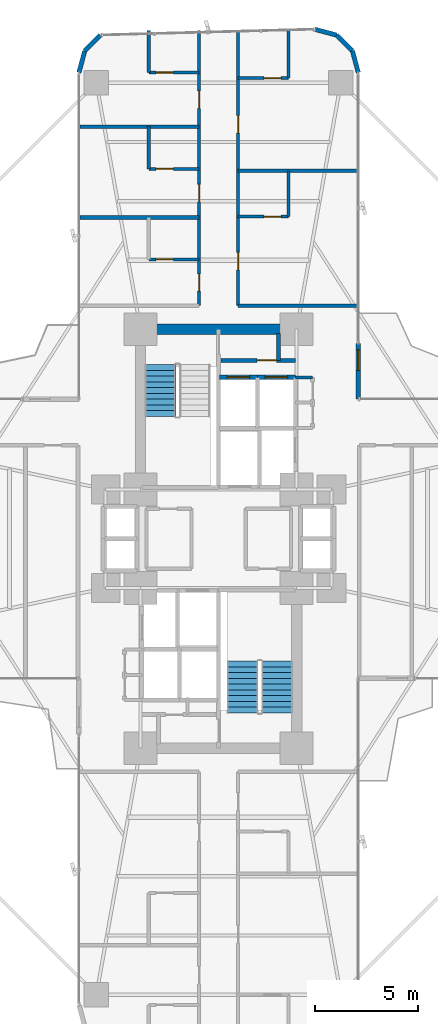
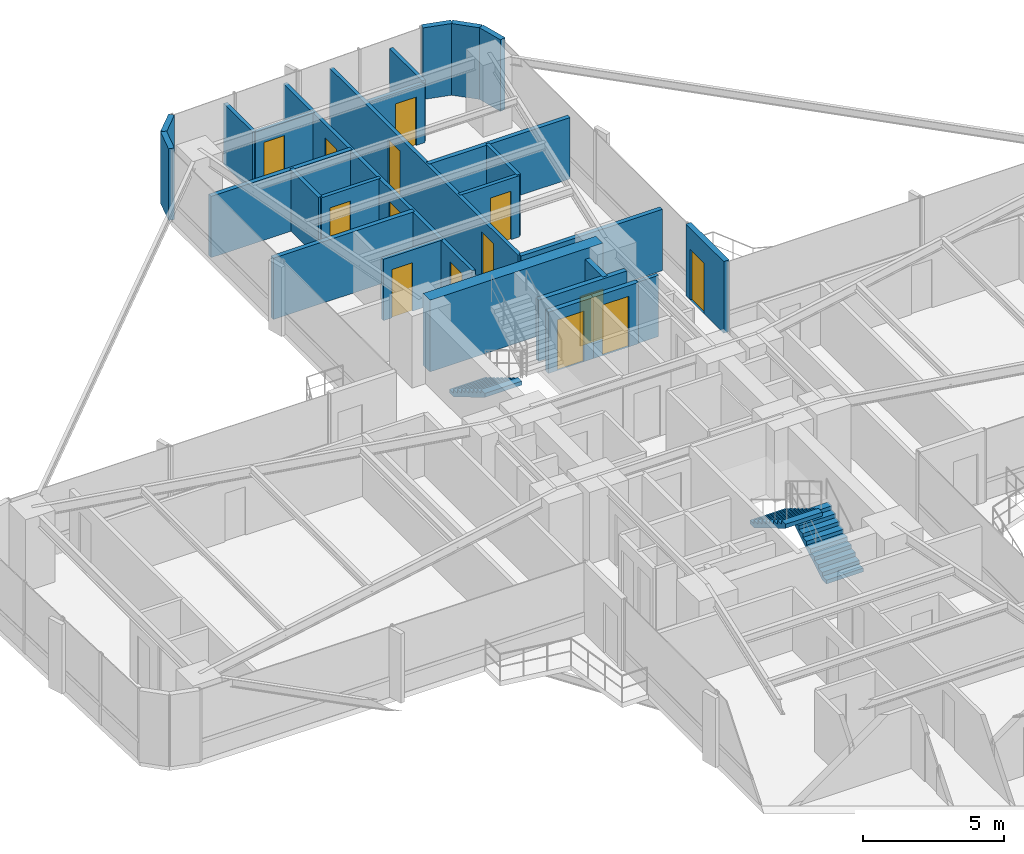
# One storey, part 24 of 26: 27 walls, 14 doors, 3 stair flights, 14 openings, 2 elements without a shape of their own.
"""IFC4 building model written with IfcOpenShell, lengths in metres."""

from ifc_helpers import new_model, si_unit, direction, frame, frame_2d, origin, origin_2d, place, context, subcontext, project, spatial, polyline, rectangle, outline, extrude, source, transform, mapped, material, layer, layer_set, type_object, element, fill, aggregate, save


model = new_model("IFC4")

# Units and contexts
model_context = context("Model", 3, precision=1e-05, world=origin(), true_north=direction((0.0, 1.0)))
body_context = subcontext(model_context, "Body", "Model", "MODEL_VIEW")
ifc_project = project(units=[si_unit("LENGTHUNIT", "METRE"), si_unit("AREAUNIT", "SQUARE_METRE"), si_unit("VOLUMEUNIT", "CUBIC_METRE"), si_unit("PLANEANGLEUNIT", "RADIAN"), si_unit("MASSUNIT", "GRAM", prefix="KILO")], contexts=[model_context])

# Site, building, storey
site_placement = place(None, origin())
site = spatial("IfcSite", under=ifc_project, at=site_placement, CompositionType="ELEMENT")
building_placement = place(site_placement, origin())
building = spatial("IfcBuilding", under=site, at=building_placement, Name="Sahyath Konkavel Grand Hotel", CompositionType="ELEMENT")
storey_placement = place(building_placement, frame((0.0, 0.0, 61.10009765625)))
storey = spatial("IfcBuildingStorey", under=building, at=storey_placement, Name="L16", CompositionType="ELEMENT", Elevation=61.10009765625)

# Wall
ifc_material_1 = material(Name="Concrete C70/85", Category="concrete")
ifc_layer_1 = layer(ifc_material_1, 0.5)
ifc_layer_set_1 = layer_set([ifc_layer_1], Name="Concrete C70/85")
wall_type_1 = type_object("IfcWallType", Name="CWALL-500", PredefinedType="SHEAR", material=ifc_layer_set_1)
wall_1_placement = place(storey_placement, frame((-3.550048828125, 10.199951171875, 0.0), z_axis=(0.0, 0.0, 1.0), x_axis=(1.0, 0.0, 0.0)))
element("IfcWall", 1, at=wall_1_placement, inside=storey, type_object=wall_type_1, Name="L16 North Core Shear Wall N", PredefinedType="SHEAR", context=body_context, shape_type="SweptSolid", body=[
    extrude(rectangle(XDim=7.10009765625, YDim=0.5, at=frame_2d((3.550048828125, 0.0))), origin(), (0.0, 0.0, 1.0), 3.10986328125),
])

# Wall, opening, door
ifc_material_2 = material(Name="Warm Buff Sandstone Insulated Concrete C40/50", Category="masonry")
ifc_layer_2 = layer(ifc_material_2, 0.219970703125)
ifc_layer_set_2 = layer_set([ifc_layer_2], Name="Warm Buff Sandstone Insulated Concrete C40/50")
wall_type_2 = type_object("IfcWallType", Name="WLL-BALC-THRESH", PredefinedType="STANDARD", material=ifc_layer_set_2)
wall_2_placement = place(storey_placement, frame((6.800048828125, 6.800048828125, 0.0), z_axis=(0.0, 0.0, 1.0), x_axis=(0.0, 1.0, 0.0)))
wall_2 = element("IfcWall", 2, at=wall_2_placement, inside=storey, type_object=wall_type_2, Name="L16 Winter-Garden Threshold Wall 8", PredefinedType="STANDARD", context=body_context, shape_type="SweptSolid", body=[
    extrude(rectangle(XDim=2.699951171875, YDim=0.219970703125, at=frame_2d((1.35009765625, 0.0))), origin(), (0.0, 0.0, 1.0), 3.10986328125),
])
opening_1_placement = place(wall_2_placement, frame((1.39990234375, 0.0, 0.0)))
opening_1 = element("IfcOpeningElement", 3, at=opening_1_placement, cuts=wall_2, Name="Opening D-TR1", PredefinedType="OPENING", context=body_context, shape_type="SweptSolid", body=[
    extrude(rectangle(XDim=1.0, YDim=2.199951171875, at=frame_2d((0.5, 1.10009765625))), frame((0.0, 0.1201171875, 0.0), z_axis=(0.0, -1.0, 0.0), x_axis=(1.0, 0.0, 0.0)), (0.0, 0.0, 1.0), 0.239990234375),
])
ifc_material_3 = material(Name="Anodised Bronze Aluminium & Low-E Glazing", Category="aluminium")
door_type_1 = type_object("IfcDoorType", Name="DR-TERRACE-1000", OperationType="NOTDEFINED", PredefinedType="DOOR", material=ifc_material_3)
shared_shape_1 = source(origin(), body_context, "Body", "SweptSolid", [
    extrude(rectangle(XDim=1.0, YDim=0.050048828125, at=origin_2d()), origin(), (0.0, 0.0, 1.0), 2.199951171875),
])
door_1_placement = place(opening_1_placement, frame((0.5, 0.0, 0.0)))
door_1 = element("IfcDoor", 4, at=door_1_placement, inside=storey, type_object=door_type_1, Name="L16 Winter-Garden Terrace Door 8", OperationType="SINGLE_SWING_LEFT", OverallHeight=2.199951171875, OverallWidth=1.0, PredefinedType="DOOR", context=body_context, shape_type="MappedRepresentation", body=[
    mapped(shared_shape_1, transform((0.0, 0.0, 0.0), scale=1.0)),
])
fill(opening_1, door_1)

# Walls
for number, where, z_axis, x_axis, name in (
    (5, (6.800048828125, 22.699951171875, 0.0), (0.0, 0.0, 1.0), (-0.25872485917, 0.965951058412, 0.0), "L16 Rounded Corner Sandstone Pier 9"),
    (6, (6.518798828125, 23.75, 0.0), (0.0, 0.0, 1.0), (-0.707106781187, 0.707106781187, 0.0), "L16 Rounded Corner Sandstone Pier 10"),
    (7, (5.75, 24.518798828125, 0.0), (0.0, 0.0, 1.0), (-0.965951058412, 0.25872485917, 0.0), "L16 Rounded Corner Sandstone Pier 11"),
    (8, (-5.75, 24.518798828125, 0.0), (0.0, 0.0, 1.0), (-0.707106781187, -0.707106781187, 0.0), "L16 Rounded Corner Sandstone Pier 13"),
    (9, (-6.518798828125, 23.75, 0.0), (0.0, 0.0, 1.0), (-0.25872485917, -0.965951058412, 0.0), "L16 Rounded Corner Sandstone Pier 14"),
):
    element("IfcWall", number, at=place(storey_placement, frame(where, z_axis=z_axis, x_axis=x_axis)), inside=storey, type_object=wall_type_2, Name=name, PredefinedType="STANDARD", context=body_context, shape_type="SweptSolid", body=[
        extrude(rectangle(XDim=1.087158203125, YDim=0.219970703125, at=frame_2d((0.54345703125, 0.0))), origin(), (0.0, 0.0, 1.0), 3.10986328125),
    ])

# Wall, opening, door
ifc_material_4 = material(Name="Concrete C40/50", Category="concrete")
ifc_layer_3 = layer(ifc_material_4, 0.199951171875)
ifc_layer_set_3 = layer_set([ifc_layer_3], Name="Concrete C40/50")
wall_type_3 = type_object("IfcWallType", Name="WLL-CORE-200", PredefinedType="SOLIDWALL", material=ifc_layer_set_3)
wall_3_placement = place(storey_placement, frame((0.050048828125, 7.860107421875, 0.0), z_axis=(0.0, 0.0, 1.0), x_axis=(1.0, 0.0, 0.0)))
wall_3 = element("IfcWall", 10, at=wall_3_placement, inside=storey, type_object=wall_type_3, Name="L16 Partition SH-PL1-N", PredefinedType="SOLIDWALL", context=body_context, shape_type="SweptSolid", body=[
    extrude(rectangle(XDim=1.849853515625, YDim=0.199951171875, at=frame_2d((0.9248046875, 0.0))), origin(), (0.0, 0.0, 1.0), 2.659912109375),
])
opening_2_placement = place(wall_3_placement, frame((0.360107421875, 0.0, 0.0)))
opening_2 = element("IfcOpeningElement", 11, at=opening_2_placement, cuts=wall_3, Name="Opening LD-11", PredefinedType="OPENING", context=body_context, shape_type="SweptSolid", body=[
    extrude(rectangle(XDim=1.10009765625, YDim=2.199951171875, at=frame_2d((0.550048828125, 1.10009765625))), frame((0.0, 0.10986328125, 0.0), z_axis=(0.0, -1.0, 0.0), x_axis=(1.0, 0.0, 0.0)), (0.0, 0.0, 1.0), 0.219970703125),
])
ifc_material_5 = material(Name="Bronze Lift Landing Door 1100")
door_type_2 = type_object("IfcDoorType", Name="DR-LIFT-1100", OperationType="DOUBLE_DOOR_SLIDING", PredefinedType="DOOR", material=ifc_material_5)
shared_shape_2 = source(origin(), body_context, "Body", "SweptSolid", [
    extrude(rectangle(XDim=1.10009765625, YDim=0.050048828125, at=origin_2d()), origin(), (0.0, 0.0, 1.0), 2.199951171875),
])
door_2_placement = place(opening_2_placement, frame((0.550048828125, 0.0, 0.0)))
door_2 = element("IfcDoor", 12, at=door_2_placement, inside=storey, type_object=door_type_2, Name="L16 Passenger Lift PL-1 Landing Door", OperationType="DOUBLE_DOOR_SLIDING", OverallHeight=2.199951171875, OverallWidth=1.10009765625, PredefinedType="DOOR", context=body_context, shape_type="MappedRepresentation", body=[
    mapped(shared_shape_2, transform((0.0, 0.0, 0.0), scale=1.0)),
])
fill(opening_2, door_2)

wall_4_placement = place(storey_placement, frame((1.89990234375, 7.860107421875, 0.0), z_axis=(0.0, 0.0, 1.0), x_axis=(1.0, 0.0, 0.0)))
wall_4 = element("IfcWall", 13, at=wall_4_placement, inside=storey, type_object=wall_type_3, Name="L16 Partition SH-PL2-N", PredefinedType="SOLIDWALL", context=body_context, shape_type="SweptSolid", body=[
    extrude(rectangle(XDim=1.840087890625, YDim=0.199951171875, at=frame_2d((0.919921875, 0.0))), origin(), (0.0, 0.0, 1.0), 2.659912109375),
])
opening_3_placement = place(wall_4_placement, frame((0.360107421875, 0.0, 0.0)))
opening_3 = element("IfcOpeningElement", 14, at=opening_3_placement, cuts=wall_4, Name="Opening LD-11", PredefinedType="OPENING", context=body_context, shape_type="SweptSolid", body=[
    extrude(rectangle(XDim=1.10009765625, YDim=2.199951171875, at=frame_2d((0.550048828125, 1.10009765625))), frame((0.0, 0.10986328125, 0.0), z_axis=(0.0, -1.0, 0.0), x_axis=(1.0, 0.0, 0.0)), (0.0, 0.0, 1.0), 0.219970703125),
])
door_3_placement = place(opening_3_placement, frame((0.550048828125, 0.0, 0.0)))
door_3 = element("IfcDoor", 15, at=door_3_placement, inside=storey, type_object=door_type_2, Name="L16 Passenger Lift PL-2 Landing Door", OperationType="DOUBLE_DOOR_SLIDING", OverallHeight=2.199951171875, OverallWidth=1.10009765625, PredefinedType="DOOR", context=body_context, shape_type="MappedRepresentation", body=[
    mapped(shared_shape_2, transform((0.0, 0.0, 0.0), scale=1.0)),
])
fill(opening_3, door_3)

wall_5_placement = place(storey_placement, frame((0.1201171875, 8.679931640625, 0.0), z_axis=(0.0, 0.0, 1.0), x_axis=(1.0, 0.0, 0.0)))
wall_5 = element("IfcWall", 16, at=wall_5_placement, inside=storey, type_object=wall_type_3, Name="L16 North FF Lobby Separation Wall", PredefinedType="SOLIDWALL", context=body_context, shape_type="SweptSolid", body=[
    extrude(rectangle(XDim=3.619873046875, YDim=0.199951171875, at=frame_2d((1.81005859375, 0.0))), origin(), (0.0, 0.0, 1.0), 2.659912109375),
])
opening_4_placement = place(wall_5_placement, frame((1.75, 0.0, 0.0)))
opening_4 = element("IfcOpeningElement", 17, at=opening_4_placement, cuts=wall_5, Name="Opening D-F12C", PredefinedType="OPENING", context=body_context, shape_type="SweptSolid", body=[
    extrude(rectangle(XDim=0.949951171875, YDim=2.14990234375, at=frame_2d((0.47509765625, 1.074951171875))), frame((0.0, 0.10986328125, 0.0), z_axis=(0.0, -1.0, 0.0), x_axis=(1.0, 0.0, 0.0)), (0.0, 0.0, 1.0), 0.219970703125),
])
ifc_material_6 = material(Name="Steel E350 Plant Fire Door", Category="steel")
door_type_3 = type_object("IfcDoorType", Name="DR-FD120-950", OperationType="NOTDEFINED", PredefinedType="DOOR", material=ifc_material_6)
shared_shape_3 = source(origin(), body_context, "Body", "SweptSolid", [
    extrude(rectangle(XDim=0.949951171875, YDim=0.050048828125, at=origin_2d()), origin(), (0.0, 0.0, 1.0), 2.14990234375),
])
door_4_placement = place(opening_4_placement, frame((0.47509765625, 0.0, 0.0)))
door_4 = element("IfcDoor", 18, at=door_4_placement, inside=storey, type_object=door_type_3, Name="L16 North Firefighting Lobby Door", OperationType="SINGLE_SWING_LEFT", OverallHeight=2.14990234375, OverallWidth=0.949951171875, PredefinedType="DOOR", context=body_context, shape_type="MappedRepresentation", body=[
    mapped(shared_shape_3, transform((0.0, 0.0, 0.0), scale=1.0)),
])
fill(opening_4, door_4)

# Walls
wall_6_placement = place(storey_placement, frame((2.919921875, 8.679931640625, 0.0), z_axis=(0.0, 0.0, 1.0), x_axis=(0.0, 1.0, 0.0)))
element("IfcWall", 19, at=wall_6_placement, inside=storey, type_object=wall_type_3, Name="L16 Partition NFF-E2", PredefinedType="SOLIDWALL", context=body_context, shape_type="SweptSolid", body=[
    extrude(rectangle(XDim=1.320068359375, YDim=0.199951171875, at=frame_2d((0.66015625, 0.0))), origin(), (0.0, 0.0, 1.0), 2.659912109375),
])
ifc_material_7 = material(Name="Twin-Stud Acoustic Gypsum Plasterboard Partition")
ifc_layer_4 = layer(ifc_material_7, 0.179931640625)
ifc_layer_set_4 = layer_set([ifc_layer_4], Name="Twin-Stud Acoustic Gypsum Plasterboard Partition")
wall_type_4 = type_object("IfcWallType", Name="WLL-DEMISE-180", PredefinedType="PARTITIONING", material=ifc_layer_set_4)
for number, where, z_axis, x_axis, name in (
    (20, (6.75, 11.35009765625, 0.0), (0.0, 0.0, 1.0), (-1.0, 0.0, 0.0), "L16 Partition N-INR"),
    (21, (-0.949951171875, 15.637939453125, 0.0), (0.0, 0.0, 1.0), (-1.0, 0.0, 0.0), "L16 Partition N-N1L-DEM"),
    (22, (-0.949951171875, 20.06005859375, 0.0), (0.0, 0.0, 1.0), (-1.0, 0.0, 0.0), "L16 Partition N-N2L-DEM"),
    (23, (0.949951171875, 17.916015625, 0.0), (0.0, 0.0, 1.0), (1.0, 0.0, 0.0), "L16 Partition N-N1R-DEM"),
):
    element("IfcWall", number, at=place(storey_placement, frame(where, z_axis=z_axis, x_axis=x_axis)), inside=storey, type_object=wall_type_4, Name=name, PredefinedType="PARTITIONING", context=body_context, shape_type="SweptSolid", body=[
        extrude(rectangle(XDim=5.800048828125, YDim=0.179931640625, at=frame_2d((2.89990234375, 0.0))), origin(), (0.0, 0.0, 1.0), 2.659912109375),
    ])
ifc_material_8 = material(Name="Fire-Rated Gypsum Plasterboard Partition")
ifc_layer_5 = layer(ifc_material_8, 0.14990234375)
ifc_layer_set_5 = layer_set([ifc_layer_5], Name="Fire-Rated Gypsum Plasterboard Partition")
wall_type_5 = type_object("IfcWallType", Name="WLL-PART-150", PredefinedType="PARTITIONING", material=ifc_layer_set_5)
wall_7_placement = place(storey_placement, frame((3.739990234375, 7.860107421875, 0.0), z_axis=(0.0, 0.0, 1.0), x_axis=(1.0, 0.0, 0.0)))
element("IfcWall", 24, at=wall_7_placement, inside=storey, type_object=wall_type_5, Name="L16 Partition NC-FLK-N", PredefinedType="PARTITIONING", context=body_context, shape_type="SweptSolid", body=[
    extrude(rectangle(XDim=0.840087890625, YDim=0.14990234375, at=frame_2d((0.419921875, 0.0))), origin(), (0.0, 0.0, 1.0), 2.659912109375),
])

# Wall, openings, doors
wall_8_placement = place(storey_placement, frame((-0.949951171875, 11.35009765625, 0.0), z_axis=(0.0, 0.0, 1.0), x_axis=(0.0, 1.0, 0.0)))
wall_8 = element("IfcWall", 25, at=wall_8_placement, inside=storey, type_object=wall_type_5, Name="L16 Partition N-CL", PredefinedType="PARTITIONING", context=body_context, shape_type="SweptSolid", body=[
    extrude(rectangle(XDim=13.39990234375, YDim=0.14990234375, at=frame_2d((6.699951171875, 0.0))), origin(), (0.0, 0.0, 1.0), 2.659912109375),
])
opening_5_placement = place(wall_8_placement, frame((0.699951171875, 0.0, 0.0)))
opening_5 = element("IfcOpeningElement", 26, at=opening_5_placement, cuts=wall_8, Name="Opening D-F06D", PredefinedType="OPENING", context=body_context, shape_type="SweptSolid", body=[
    extrude(rectangle(XDim=0.85009765625, YDim=2.10009765625, at=frame_2d((0.425048828125, 1.050048828125))), frame((0.0, 0.0849609375, 0.0), z_axis=(0.0, -1.0, 0.0), x_axis=(1.0, 0.0, 0.0)), (0.0, 0.0, 1.0), 0.169921875),
])
opening_6_placement = place(wall_8_placement, frame((5.049072265625, 0.0, 0.0)))
opening_6 = element("IfcOpeningElement", 27, at=opening_6_placement, cuts=wall_8, Name="Opening D-F06D", PredefinedType="OPENING", context=body_context, shape_type="SweptSolid", body=[
    extrude(rectangle(XDim=0.85009765625, YDim=2.10009765625, at=frame_2d((0.425048828125, 1.050048828125))), frame((0.0, 0.0849609375, 0.0), z_axis=(0.0, -1.0, 0.0), x_axis=(1.0, 0.0, 0.0)), (0.0, 0.0, 1.0), 0.169921875),
])
opening_7_placement = place(wall_8_placement, frame((9.60498046875, 0.0, 0.0)))
opening_7 = element("IfcOpeningElement", 28, at=opening_7_placement, cuts=wall_8, Name="Opening D-F06D", PredefinedType="OPENING", context=body_context, shape_type="SweptSolid", body=[
    extrude(rectangle(XDim=0.85009765625, YDim=2.10009765625, at=frame_2d((0.425048828125, 1.050048828125))), frame((0.0, 0.0849609375, 0.0), z_axis=(0.0, -1.0, 0.0), x_axis=(1.0, 0.0, 0.0)), (0.0, 0.0, 1.0), 0.169921875),
])
ifc_material_9 = material(Name="Fire-Rated Shaft Access Door")
door_type_4 = type_object("IfcDoorType", Name="DR-FD60-850", OperationType="NOTDEFINED", PredefinedType="DOOR", material=ifc_material_9)
shared_shape_4 = source(origin(), body_context, "Body", "SweptSolid", [
    extrude(rectangle(XDim=0.85009765625, YDim=0.050048828125, at=origin_2d()), origin(), (0.0, 0.0, 1.0), 2.10009765625),
])
door_5_placement = place(opening_5_placement, frame((0.425048828125, 0.0, 0.0)))
door_5 = element("IfcDoor", 29, at=door_5_placement, inside=storey, type_object=door_type_4, Name="L16 Door N-N1L-ED", OperationType="SINGLE_SWING_LEFT", OverallHeight=2.10009765625, OverallWidth=0.85009765625, PredefinedType="DOOR", context=body_context, shape_type="MappedRepresentation", body=[
    mapped(shared_shape_4, transform((0.0, 0.0, 0.0), scale=1.0)),
])
fill(opening_5, door_5)
door_6_placement = place(opening_6_placement, frame((0.425048828125, 0.0, 0.0)))
door_6 = element("IfcDoor", 30, at=door_6_placement, inside=storey, type_object=door_type_4, Name="L16 Door N-N2L-ED", OperationType="SINGLE_SWING_LEFT", OverallHeight=2.10009765625, OverallWidth=0.85009765625, PredefinedType="DOOR", context=body_context, shape_type="MappedRepresentation", body=[
    mapped(shared_shape_4, transform((0.0, 0.0, 0.0), scale=1.0)),
])
fill(opening_6, door_6)
door_7_placement = place(opening_7_placement, frame((0.425048828125, 0.0, 0.0)))
door_7 = element("IfcDoor", 31, at=door_7_placement, inside=storey, type_object=door_type_4, Name="L16 Door N-N3L-ED", OperationType="SINGLE_SWING_LEFT", OverallHeight=2.10009765625, OverallWidth=0.85009765625, PredefinedType="DOOR", context=body_context, shape_type="MappedRepresentation", body=[
    mapped(shared_shape_4, transform((0.0, 0.0, 0.0), scale=1.0)),
])
fill(opening_7, door_7)

wall_9_placement = place(storey_placement, frame((0.949951171875, 11.35009765625, 0.0), z_axis=(0.0, 0.0, 1.0), x_axis=(0.0, 1.0, 0.0)))
wall_9 = element("IfcWall", 32, at=wall_9_placement, inside=storey, type_object=wall_type_5, Name="L16 Partition N-CR", PredefinedType="PARTITIONING", context=body_context, shape_type="SweptSolid", body=[
    extrude(rectangle(XDim=13.39990234375, YDim=0.14990234375, at=frame_2d((6.699951171875, 0.0))), origin(), (0.0, 0.0, 1.0), 2.659912109375),
])
opening_8_placement = place(wall_9_placement, frame((1.741943359375, 0.0, 0.0)))
opening_8 = element("IfcOpeningElement", 33, at=opening_8_placement, cuts=wall_9, Name="Opening D-F06D", PredefinedType="OPENING", context=body_context, shape_type="SweptSolid", body=[
    extrude(rectangle(XDim=0.85009765625, YDim=2.10009765625, at=frame_2d((0.425048828125, 1.050048828125))), frame((0.0, 0.0849609375, 0.0), z_axis=(0.0, -1.0, 0.0), x_axis=(1.0, 0.0, 0.0)), (0.0, 0.0, 1.0), 0.169921875),
])
opening_9_placement = place(wall_9_placement, frame((8.39599609375, 0.0, 0.0)))
opening_9 = element("IfcOpeningElement", 34, at=opening_9_placement, cuts=wall_9, Name="Opening D-F06D", PredefinedType="OPENING", context=body_context, shape_type="SweptSolid", body=[
    extrude(rectangle(XDim=0.85009765625, YDim=2.10009765625, at=frame_2d((0.425048828125, 1.050048828125))), frame((0.0, 0.0849609375, 0.0), z_axis=(0.0, -1.0, 0.0), x_axis=(1.0, 0.0, 0.0)), (0.0, 0.0, 1.0), 0.169921875),
])
door_8_placement = place(opening_8_placement, frame((0.425048828125, 0.0, 0.0)))
door_8 = element("IfcDoor", 35, at=door_8_placement, inside=storey, type_object=door_type_4, Name="L16 Door N-N1R-ED", OperationType="SINGLE_SWING_LEFT", OverallHeight=2.10009765625, OverallWidth=0.85009765625, PredefinedType="DOOR", context=body_context, shape_type="MappedRepresentation", body=[
    mapped(shared_shape_4, transform((0.0, 0.0, 0.0), scale=1.0)),
])
fill(opening_8, door_8)
door_9_placement = place(opening_9_placement, frame((0.425048828125, 0.0, 0.0)))
door_9 = element("IfcDoor", 36, at=door_9_placement, inside=storey, type_object=door_type_4, Name="L16 Door N-N2R-ED", OperationType="SINGLE_SWING_LEFT", OverallHeight=2.10009765625, OverallWidth=0.85009765625, PredefinedType="DOOR", context=body_context, shape_type="MappedRepresentation", body=[
    mapped(shared_shape_4, transform((0.0, 0.0, 0.0), scale=1.0)),
])
fill(opening_9, door_9)

# Wall, opening, door
wall_10_placement = place(storey_placement, frame((-0.949951171875, 13.60009765625, 0.0), z_axis=(0.0, 0.0, 1.0), x_axis=(-1.0, 0.0, 0.0)))
wall_10 = element("IfcWall", 37, at=wall_10_placement, inside=storey, type_object=wall_type_5, Name="L16 Partition N-N1L-BS", PredefinedType="PARTITIONING", context=body_context, shape_type="SweptSolid", body=[
    extrude(rectangle(XDim=2.449951171875, YDim=0.14990234375, at=frame_2d((1.22509765625, 0.0))), origin(), (0.0, 0.0, 1.0), 2.659912109375),
])
opening_10_placement = place(wall_10_placement, frame((1.25, 0.0, 0.0)))
opening_10 = element("IfcOpeningElement", 38, at=opening_10_placement, cuts=wall_10, Name="Opening D-BT85", PredefinedType="OPENING", context=body_context, shape_type="SweptSolid", body=[
    extrude(rectangle(XDim=0.85009765625, YDim=2.10009765625, at=frame_2d((0.425048828125, 1.050048828125))), frame((0.0, 0.0849609375, 0.0), z_axis=(0.0, -1.0, 0.0), x_axis=(1.0, 0.0, 0.0)), (0.0, 0.0, 1.0), 0.169921875),
])
ifc_material_10 = material(Name="Moisture-Resistant Teak Bathroom Door")
door_type_5 = type_object("IfcDoorType", Name="DR-BATH-850", OperationType="NOTDEFINED", PredefinedType="DOOR", material=ifc_material_10)
door_10_placement = place(opening_10_placement, frame((0.425048828125, 0.0, 0.0)))
door_10 = element("IfcDoor", 39, at=door_10_placement, inside=storey, type_object=door_type_5, Name="L16 Door N-N1L-BD", OperationType="SINGLE_SWING_RIGHT", OverallHeight=2.10009765625, OverallWidth=0.85009765625, PredefinedType="DOOR", context=body_context, shape_type="MappedRepresentation", body=[
    mapped(shared_shape_4, transform((0.0, 0.0, 0.0), scale=1.0)),
])
fill(opening_10, door_10)

wall_11_placement = place(storey_placement, frame((-0.949951171875, 18.010009765625, 0.0), z_axis=(0.0, 0.0, 1.0), x_axis=(-1.0, 0.0, 0.0)))
wall_11 = element("IfcWall", 40, at=wall_11_placement, inside=storey, type_object=wall_type_5, Name="L16 Partition N-N2L-BS", PredefinedType="PARTITIONING", context=body_context, shape_type="SweptSolid", body=[
    extrude(rectangle(XDim=2.449951171875, YDim=0.14990234375, at=frame_2d((1.22509765625, 0.0))), origin(), (0.0, 0.0, 1.0), 2.659912109375),
])
opening_11_placement = place(wall_11_placement, frame((1.25, 0.0, 0.0)))
opening_11 = element("IfcOpeningElement", 41, at=opening_11_placement, cuts=wall_11, Name="Opening D-BT85", PredefinedType="OPENING", context=body_context, shape_type="SweptSolid", body=[
    extrude(rectangle(XDim=0.85009765625, YDim=2.10009765625, at=frame_2d((0.425048828125, 1.050048828125))), frame((0.0, 0.0849609375, 0.0), z_axis=(0.0, -1.0, 0.0), x_axis=(1.0, 0.0, 0.0)), (0.0, 0.0, 1.0), 0.169921875),
])
door_11_placement = place(opening_11_placement, frame((0.425048828125, 0.0, 0.0)))
door_11 = element("IfcDoor", 42, at=door_11_placement, inside=storey, type_object=door_type_5, Name="L16 Door N-N2L-BD", OperationType="SINGLE_SWING_RIGHT", OverallHeight=2.10009765625, OverallWidth=0.85009765625, PredefinedType="DOOR", context=body_context, shape_type="MappedRepresentation", body=[
    mapped(shared_shape_4, transform((0.0, 0.0, 0.0), scale=1.0)),
])
fill(opening_11, door_11)

# Wall
wall_12_placement = place(storey_placement, frame((-3.39990234375, 18.010009765625, 0.0), z_axis=(0.0, 0.0, 1.0), x_axis=(0.0, 1.0, 0.0)))
element("IfcWall", 43, at=wall_12_placement, inside=storey, type_object=wall_type_5, Name="L16 Partition N-N2L-BF", PredefinedType="PARTITIONING", context=body_context, shape_type="SweptSolid", body=[
    extrude(rectangle(XDim=2.050048828125, YDim=0.14990234375, at=frame_2d((1.02490234375, 0.0))), origin(), (0.0, 0.0, 1.0), 2.659912109375),
])

# Wall, opening, door
wall_13_placement = place(storey_placement, frame((-0.949951171875, 22.699951171875, 0.0), z_axis=(0.0, 0.0, 1.0), x_axis=(-1.0, 0.0, 0.0)))
wall_13 = element("IfcWall", 44, at=wall_13_placement, inside=storey, type_object=wall_type_5, Name="L16 Partition N-N3L-BS", PredefinedType="PARTITIONING", context=body_context, shape_type="SweptSolid", body=[
    extrude(rectangle(XDim=2.449951171875, YDim=0.14990234375, at=frame_2d((1.22509765625, 0.0))), origin(), (0.0, 0.0, 1.0), 2.659912109375),
])
opening_12_placement = place(wall_13_placement, frame((1.25, 0.0, 0.0)))
opening_12 = element("IfcOpeningElement", 45, at=opening_12_placement, cuts=wall_13, Name="Opening D-BT85", PredefinedType="OPENING", context=body_context, shape_type="SweptSolid", body=[
    extrude(rectangle(XDim=0.85009765625, YDim=2.10009765625, at=frame_2d((0.425048828125, 1.050048828125))), frame((0.0, 0.0849609375, 0.0), z_axis=(0.0, -1.0, 0.0), x_axis=(1.0, 0.0, 0.0)), (0.0, 0.0, 1.0), 0.169921875),
])
door_12_placement = place(opening_12_placement, frame((0.425048828125, 0.0, 0.0)))
door_12 = element("IfcDoor", 46, at=door_12_placement, inside=storey, type_object=door_type_5, Name="L16 Door N-N3L-BD", OperationType="SINGLE_SWING_RIGHT", OverallHeight=2.10009765625, OverallWidth=0.85009765625, PredefinedType="DOOR", context=body_context, shape_type="MappedRepresentation", body=[
    mapped(shared_shape_4, transform((0.0, 0.0, 0.0), scale=1.0)),
])
fill(opening_12, door_12)

# Wall
wall_14_placement = place(storey_placement, frame((-3.39990234375, 22.699951171875, 0.0), z_axis=(0.0, 0.0, 1.0), x_axis=(0.0, 1.0, 0.0)))
element("IfcWall", 47, at=wall_14_placement, inside=storey, type_object=wall_type_5, Name="L16 Partition N-N3L-BF", PredefinedType="PARTITIONING", context=body_context, shape_type="SweptSolid", body=[
    extrude(rectangle(XDim=2.050048828125, YDim=0.14990234375, at=frame_2d((1.02490234375, 0.0))), origin(), (0.0, 0.0, 1.0), 2.659912109375),
])

# Wall, opening, door
wall_15_placement = place(storey_placement, frame((0.949951171875, 15.68408203125, 0.0), z_axis=(0.0, 0.0, 1.0), x_axis=(1.0, 0.0, 0.0)))
wall_15 = element("IfcWall", 48, at=wall_15_placement, inside=storey, type_object=wall_type_5, Name="L16 Partition N-N1R-BS", PredefinedType="PARTITIONING", context=body_context, shape_type="SweptSolid", body=[
    extrude(rectangle(XDim=2.449951171875, YDim=0.14990234375, at=frame_2d((1.22509765625, 0.0))), origin(), (0.0, 0.0, 1.0), 2.659912109375),
])
opening_13_placement = place(wall_15_placement, frame((1.25, 0.0, 0.0)))
opening_13 = element("IfcOpeningElement", 49, at=opening_13_placement, cuts=wall_15, Name="Opening D-BT85", PredefinedType="OPENING", context=body_context, shape_type="SweptSolid", body=[
    extrude(rectangle(XDim=0.85009765625, YDim=2.10009765625, at=frame_2d((0.425048828125, 1.050048828125))), frame((0.0, 0.0849609375, 0.0), z_axis=(0.0, -1.0, 0.0), x_axis=(1.0, 0.0, 0.0)), (0.0, 0.0, 1.0), 0.169921875),
])
door_13_placement = place(opening_13_placement, frame((0.425048828125, 0.0, 0.0)))
door_13 = element("IfcDoor", 50, at=door_13_placement, inside=storey, type_object=door_type_5, Name="L16 Door N-N1R-BD", OperationType="SINGLE_SWING_RIGHT", OverallHeight=2.10009765625, OverallWidth=0.85009765625, PredefinedType="DOOR", context=body_context, shape_type="MappedRepresentation", body=[
    mapped(shared_shape_4, transform((0.0, 0.0, 0.0), scale=1.0)),
])
fill(opening_13, door_13)

# Wall
wall_16_placement = place(storey_placement, frame((3.39990234375, 15.68408203125, 0.0), z_axis=(0.0, 0.0, 1.0), x_axis=(0.0, 1.0, 0.0)))
element("IfcWall", 51, at=wall_16_placement, inside=storey, type_object=wall_type_5, Name="L16 Partition N-N1R-BF", PredefinedType="PARTITIONING", context=body_context, shape_type="SweptSolid", body=[
    extrude(rectangle(XDim=2.23193359375, YDim=0.14990234375, at=frame_2d((1.115966796875, 0.0))), origin(), (0.0, 0.0, 1.0), 2.659912109375),
])

# Wall, opening, door
wall_17_placement = place(storey_placement, frame((0.949951171875, 22.426025390625, 0.0), z_axis=(0.0, 0.0, 1.0), x_axis=(1.0, 0.0, 0.0)))
wall_17 = element("IfcWall", 52, at=wall_17_placement, inside=storey, type_object=wall_type_5, Name="L16 Partition N-N2R-BS", PredefinedType="PARTITIONING", context=body_context, shape_type="SweptSolid", body=[
    extrude(rectangle(XDim=2.449951171875, YDim=0.14990234375, at=frame_2d((1.22509765625, 0.0))), origin(), (0.0, 0.0, 1.0), 2.579833984375),
])
opening_14_placement = place(wall_17_placement, frame((1.25, 0.0, 0.0)))
opening_14 = element("IfcOpeningElement", 53, at=opening_14_placement, cuts=wall_17, Name="Opening D-BT85", PredefinedType="OPENING", context=body_context, shape_type="SweptSolid", body=[
    extrude(rectangle(XDim=0.85009765625, YDim=2.10009765625, at=frame_2d((0.425048828125, 1.050048828125))), frame((0.0, 0.0849609375, 0.0), z_axis=(0.0, -1.0, 0.0), x_axis=(1.0, 0.0, 0.0)), (0.0, 0.0, 1.0), 0.169921875),
])
door_14_placement = place(opening_14_placement, frame((0.425048828125, 0.0, 0.0)))
door_14 = element("IfcDoor", 54, at=door_14_placement, inside=storey, type_object=door_type_5, Name="L16 Door N-N2R-BD", OperationType="SINGLE_SWING_RIGHT", OverallHeight=2.10009765625, OverallWidth=0.85009765625, PredefinedType="DOOR", context=body_context, shape_type="MappedRepresentation", body=[
    mapped(shared_shape_4, transform((0.0, 0.0, 0.0), scale=1.0)),
])
fill(opening_14, door_14)

# Wall
wall_18_placement = place(storey_placement, frame((3.39990234375, 22.426025390625, 0.0), z_axis=(0.0, 0.0, 1.0), x_axis=(0.0, 1.0, 0.0)))
element("IfcWall", 55, at=wall_18_placement, inside=storey, type_object=wall_type_5, Name="L16 Partition N-N2R-BF", PredefinedType="PARTITIONING", context=body_context, shape_type="SweptSolid", body=[
    extrude(rectangle(XDim=2.323974609375, YDim=0.14990234375, at=frame_2d((1.162109375, 0.0))), origin(), (0.0, 0.0, 1.0), 2.659912109375),
])

# Stair, stair flight
stair_type = type_object("IfcStairType", Name="STR-ST16-335", PredefinedType="HALF_TURN_STAIR", material=ifc_material_4)
stair_1_placement = place(storey_placement, origin())
stair_1 = element("IfcStair", 56, at=stair_1_placement, inside=storey, type_object=stair_type, Name="L16 North Core Smokeproof Exit Stair ST-1", PredefinedType="HALF_TURN_STAIR")
stair_flight_type = type_object("IfcStairFlightType", Name="STF-ST16-335", PredefinedType="STRAIGHT", material=ifc_material_4)
stair_flight_1_placement = place(storey_placement, frame((-2.840087890625, 8.47998046875, 0.0), z_axis=(0.0, 0.0, 1.0), x_axis=(0.0, -1.0, 0.0)))
stair_flight_1 = element("IfcStairFlight", 57, at=stair_flight_1_placement, type_object=stair_flight_type, Name="ST-1 flight 1", NumberOfRisers=10, NumberOfTreads=9, PredefinedType="STRAIGHT", RiserHeight=0.1675, TreadLength=0.28, context=body_context, shape_type="SweptSolid", body=[
    extrude(outline(polyline([(0.0, 0.0), (0.0, 0.16748046875), (0.280029296875, 0.16748046875), (0.280029296875, 0.3349609375), (0.56005859375, 0.3349609375), (0.56005859375, 0.50244140625), (0.840087890625, 0.50244140625), (0.840087890625, 0.669921875), (1.1201171875, 0.669921875), (1.1201171875, 0.83740234375), (1.39990234375, 0.83740234375), (1.39990234375, 1.0048828125), (1.679931640625, 1.0048828125), (1.679931640625, 1.172607421875), (1.9599609375, 1.172607421875), (1.9599609375, 1.340087890625), (2.239990234375, 1.340087890625), (2.239990234375, 1.507568359375), (2.52001953125, 1.507568359375), (2.52001953125, 1.675048828125), (2.52001953125, 1.332763671875), (0.2919921875, 0.0), (0.0, 0.0)])), frame((0.0, 0.760009765625, 0.0), z_axis=(0.0, -1.0, 0.0), x_axis=(1.0, 0.0, 0.0)), (0.0, 0.0, 1.0), 1.52001953125),
])
aggregate(stair_1, [stair_flight_1])

# Stair, stair flights
stair_2_placement = place(storey_placement, origin())
stair_2 = element("IfcStair", 58, at=stair_2_placement, inside=storey, type_object=stair_type, Name="L16 South Core Smokeproof Exit Stair ST-2", PredefinedType="HALF_TURN_STAIR")
stair_flight_2_placement = place(storey_placement, frame((2.840087890625, -8.47998046875, 0.0), z_axis=(0.0, 0.0, 1.0), x_axis=(0.0, 1.0, 0.0)))
stair_flight_2 = element("IfcStairFlight", 59, at=stair_flight_2_placement, type_object=stair_flight_type, Name="ST-2 flight 1", NumberOfRisers=10, NumberOfTreads=9, PredefinedType="STRAIGHT", RiserHeight=0.1675, TreadLength=0.28, context=body_context, shape_type="SweptSolid", body=[
    extrude(outline(polyline([(0.0, 0.0), (0.0, 0.16748046875), (0.280029296875, 0.16748046875), (0.280029296875, 0.3349609375), (0.56005859375, 0.3349609375), (0.56005859375, 0.50244140625), (0.840087890625, 0.50244140625), (0.840087890625, 0.669921875), (1.1201171875, 0.669921875), (1.1201171875, 0.83740234375), (1.39990234375, 0.83740234375), (1.39990234375, 1.0048828125), (1.679931640625, 1.0048828125), (1.679931640625, 1.172607421875), (1.9599609375, 1.172607421875), (1.9599609375, 1.340087890625), (2.239990234375, 1.340087890625), (2.239990234375, 1.507568359375), (2.52001953125, 1.507568359375), (2.52001953125, 1.675048828125), (2.52001953125, 1.332763671875), (0.2919921875, 0.0), (0.0, 0.0)])), frame((0.0, 0.760009765625, 0.0), z_axis=(0.0, -1.0, 0.0), x_axis=(1.0, 0.0, 0.0)), (0.0, 0.0, 1.0), 1.52001953125),
])
stair_flight_3_placement = place(storey_placement, frame((1.159912109375, -5.9599609375, 1.6748046875), z_axis=(0.0, 0.0, 1.0), x_axis=(0.0, -1.0, 0.0)))
stair_flight_3 = element("IfcStairFlight", 60, at=stair_flight_3_placement, type_object=stair_flight_type, Name="ST-2 flight 2", NumberOfRisers=10, NumberOfTreads=9, PredefinedType="STRAIGHT", RiserHeight=0.1675, TreadLength=0.28, context=body_context, shape_type="SweptSolid", body=[
    extrude(outline(polyline([(0.0, 0.0), (0.0, 0.16748046875), (0.280029296875, 0.16748046875), (0.280029296875, 0.3349609375), (0.56005859375, 0.3349609375), (0.56005859375, 0.50244140625), (0.840087890625, 0.50244140625), (0.840087890625, 0.669921875), (1.1201171875, 0.669921875), (1.1201171875, 0.83740234375), (1.39990234375, 0.83740234375), (1.39990234375, 1.0048828125), (1.679931640625, 1.0048828125), (1.679931640625, 1.172607421875), (1.9599609375, 1.172607421875), (1.9599609375, 1.340087890625), (2.239990234375, 1.340087890625), (2.239990234375, 1.507568359375), (2.52001953125, 1.507568359375), (2.52001953125, 1.675048828125), (2.52001953125, 1.332763671875), (0.2919921875, 0.0), (0.0, 0.0)])), frame((0.0, 0.760009765625, 0.0), z_axis=(0.0, -1.0, 0.0), x_axis=(1.0, 0.0, 0.0)), (0.0, 0.0, 1.0), 1.52001953125),
])
aggregate(stair_2, [stair_flight_2, stair_flight_3])

save(model, "model.ifc")
